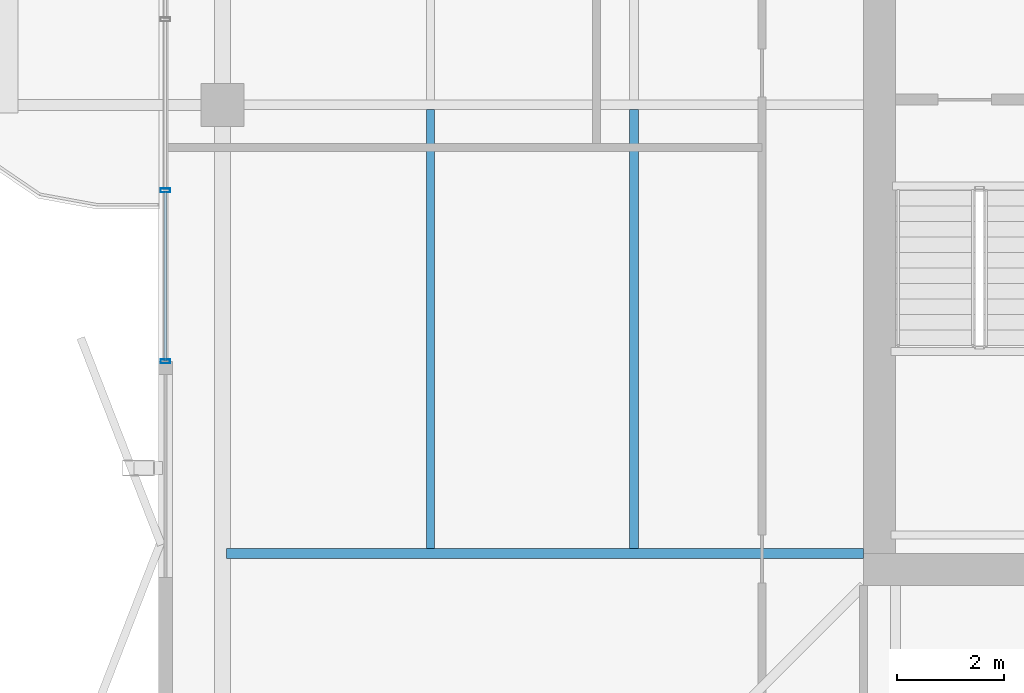
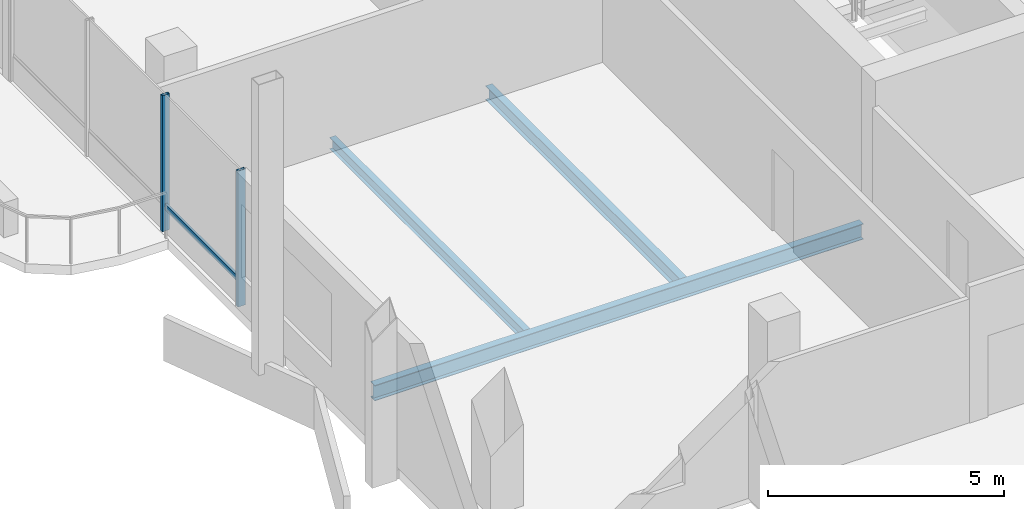
# One storey, part 6 of 22: 3 beams, 3 members, 1 element without a shape of its own.
"""IFC4 building model written with IfcOpenShell, lengths in metres."""

import ifcopenshell
import ifcopenshell.guid

model = None  # the IFC model being written
_history = None  # IfcOwnerHistory: only IFC2X3 demands one
_inside = {}  # id of a spatial element -> (the spatial element, [elements in it])
_under = {}  # id of a project, library or spatial element -> (it, [spatial elements below it])
_declared = {}  # id of a project -> (the project, [libraries it declares])
_typed = {}  # id of a type object -> (the type object, [elements of that type])
_made_of = {}  # id of a material, layer set ... -> (it, [elements and type objects made of it])


def new_model(schema):
    """Start an empty IFC model of exactly this schema.

    Asked for "IFC4X3", IfcOpenShell would pick the latest addendum, in which some entities
    have other attributes; the version numbers below select the first issue.
    IFC2X3 requires an IfcOwnerHistory on every rooted entity: one is made here for all.
    """
    global model, _history
    if schema == "IFC4X3":
        model = ifcopenshell.file(schema_version=(4, 3, 0, 0))
    else:
        model = ifcopenshell.file(schema=schema)
    _inside.clear()
    _under.clear()
    _declared.clear()
    _typed.clear()
    _made_of.clear()
    _history = None
    if model.schema == "IFC2X3":
        org = make("IfcOrganization", Name="unknown")
        user = make(
            "IfcPersonAndOrganization",
            ThePerson=make("IfcPerson", FamilyName="unknown"),
            TheOrganization=org,
        )
        app = make(
            "IfcApplication",
            ApplicationDeveloper=org,
            Version="unknown",
            ApplicationFullName="unknown",
            ApplicationIdentifier="unknown",
        )
        _history = make(
            "IfcOwnerHistory",
            OwningUser=user,
            OwningApplication=app,
            ChangeAction="ADDED",
            CreationDate=0,
        )
    return model


def make(cls, **values):
    """One entity of the class cls with the attributes given. An attribute that is None is left unset."""
    return model.create_entity(
        cls, **{name: value for name, value in values.items() if value is not None}
    )


def rooted(cls, **values):
    """An entity with a GlobalId (a new one), such as an element, a storey or a relation."""
    return make(cls, GlobalId=ifcopenshell.guid.new(), OwnerHistory=_history, **values)


def si_unit(unit_type, name, prefix=None):
    """IfcSIUnit, for example si_unit("LENGTHUNIT", "METRE", prefix="MILLI")."""
    return make("IfcSIUnit", UnitType=unit_type, Prefix=prefix, Name=name)


def assignment(units):
    """IfcUnitAssignment: the units of a project."""
    return None if units is None else make("IfcUnitAssignment", Units=units)


def point(xyz):
    """IfcCartesianPoint."""
    return None if xyz is None else make("IfcCartesianPoint", Coordinates=xyz)


def direction(xyz):
    """IfcDirection."""
    return None if xyz is None else make("IfcDirection", DirectionRatios=xyz)


def frame(location, z_axis=None, x_axis=None):
    """IfcAxis2Placement3D, a coordinate frame: its origin and axes. An axis left out is left unset."""
    return make(
        "IfcAxis2Placement3D",
        Location=point(location),
        Axis=direction(z_axis),
        RefDirection=direction(x_axis),
    )


def frame_2d(location, x_axis=None):
    """IfcAxis2Placement2D, a coordinate frame in the plane: its origin and x axis."""
    return make(
        "IfcAxis2Placement2D", Location=point(location), RefDirection=direction(x_axis)
    )


def origin():
    """The frame at (0, 0, 0) with its axes left unset."""
    return frame((0.0, 0.0, 0.0))


def origin_2d():
    """The frame at (0, 0) in the plane with its x axis left unset."""
    return frame_2d((0.0, 0.0))


def place(relative_to, where):
    """IfcLocalPlacement: puts the frame where relative to a parent placement (None: the world)."""
    return make(
        "IfcLocalPlacement", PlacementRelTo=relative_to, RelativePlacement=where
    )


def context(
    kind, dimensions, precision=None, world=None, true_north=None, identifier=None
):
    """IfcGeometricRepresentationContext, for example the 3D "Model" context."""
    return make(
        "IfcGeometricRepresentationContext",
        ContextIdentifier=identifier,
        ContextType=kind,
        CoordinateSpaceDimension=dimensions,
        Precision=precision,
        WorldCoordinateSystem=world,
        TrueNorth=true_north,
    )


def subcontext(parent, identifier, kind, view, scale=None):
    """IfcGeometricRepresentationSubContext, for example "Body" below "Model"."""
    return make(
        "IfcGeometricRepresentationSubContext",
        ContextIdentifier=identifier,
        ContextType=kind,
        ParentContext=parent,
        TargetScale=scale,
        TargetView=view,
    )


def project(units=None, contexts=None):
    """IfcProject with its units and contexts."""
    return rooted(
        "IfcProject",
        Name="project",
        RepresentationContexts=contexts,
        UnitsInContext=assignment(units),
    )


def spatial(cls, under=None, at=None, **own):
    """A site, building, storey or space (cls), placed at a placement, below another one or the project."""
    s = rooted(cls, ObjectPlacement=at, **own)
    if under is not None:
        _under.setdefault(under.id(), (under, []))[1].append(s)
    return s


def profile(cls, at=None, kind="AREA", **sizes):
    """A parametric profile (cls). Its sizes go by their IFC names, for example OverallWidth=200.0."""
    return make(cls, ProfileType=kind, Position=at, **sizes)


def hollow_rectangle(**sizes):
    """IfcRectangleHollowProfileDef."""
    return profile("IfcRectangleHollowProfileDef", **sizes)


def i_section(**sizes):
    """IfcIShapeProfileDef."""
    return profile("IfcIShapeProfileDef", **sizes)


def extrude(swept, where, along, depth):
    """IfcExtrudedAreaSolid: the profile swept, set in the frame where, extruded along a direction by depth."""
    return make(
        "IfcExtrudedAreaSolid",
        SweptArea=swept,
        Position=where,
        ExtrudedDirection=direction(along),
        Depth=depth,
    )


def shape(context_of_items, identifier, shape_type, items):
    """IfcShapeRepresentation: the items that make up one representation, for example the "Body"."""
    return make(
        "IfcShapeRepresentation",
        ContextOfItems=context_of_items,
        RepresentationIdentifier=identifier,
        RepresentationType=shape_type,
        Items=items,
    )


def material(Name=None, Category=None):
    """IfcMaterial."""
    return make("IfcMaterial", Name=Name, Category=Category)


def layer(
    of_material, thickness, ventilated=None, Name=None, Category=None, Priority=None
):
    """IfcMaterialLayer: one layer of a wall or slab, of a material (None: an air gap)."""
    return make(
        "IfcMaterialLayer",
        Material=of_material,
        LayerThickness=thickness,
        IsVentilated=ventilated,
        Name=Name,
        Category=Category,
        Priority=Priority,
    )


def layer_set(layers, Name=None):
    """IfcMaterialLayerSet."""
    return make("IfcMaterialLayerSet", MaterialLayers=layers, LayerSetName=Name)


def material_profile(
    of_material, cross_section, Name=None, Category=None, Priority=None
):
    """IfcMaterialProfile: a cross section and its material."""
    return make(
        "IfcMaterialProfile",
        Name=Name,
        Material=of_material,
        Profile=cross_section,
        Priority=Priority,
        Category=Category,
    )


def profile_set(profiles, Name=None, composite=None):
    """IfcMaterialProfileSet."""
    return make(
        "IfcMaterialProfileSet",
        Name=Name,
        MaterialProfiles=profiles,
        CompositeProfile=composite,
    )


def made_of(thing, what):
    """Note that an element or type object is made of a material, layer set ...; save() writes the relation."""
    if what is not None:
        _made_of.setdefault(what.id(), (what, []))[1].append(thing)
    return thing


def type_object(cls, material=None, **own):
    """A type object (cls), such as IfcWallType, which elements share."""
    return made_of(rooted(cls, **own), material)


def element(
    cls,
    number,
    at=None,
    inside=None,
    cuts=None,
    type_object=None,
    material=None,
    context=None,
    identifier="Body",
    shape_type=None,
    held_by="IfcProductDefinitionShape",
    body=None,
    shapes=None,
    **own,
):
    """One element of the class cls, such as IfcWall. Its Tag is "e" and its number.

    at: its placement. inside: the storey or other place that contains it. cuts: it is an
    opening in that element (IfcRelVoidsElement). A single representation is given by context,
    identifier, shape_type and body (its items); several are given by shapes. held_by: the class
    of the entity that holds the representations. save() writes the other relations.
    """
    e = rooted(cls, Tag="e%d" % number, ObjectPlacement=at, **own)
    if body is not None:
        shapes = [shape(context, identifier, shape_type, body)]
    if shapes is not None:
        e.Representation = make(held_by, Representations=shapes)
    if inside is not None:
        _inside.setdefault(inside.id(), (inside, []))[1].append(e)
    if cuts is not None:
        rooted(
            "IfcRelVoidsElement", RelatingBuildingElement=cuts, RelatedOpeningElement=e
        )
    if type_object is not None:
        _typed.setdefault(type_object.id(), (type_object, []))[1].append(e)
    return made_of(e, material)


def aggregate(whole, parts):
    """IfcRelAggregates: a whole, such as a stair, and the parts it consists of."""
    return rooted("IfcRelAggregates", RelatingObject=whole, RelatedObjects=parts)


def save(model, path):
    """Write the relations noted so far, then the file.

    IfcRelAggregates (storeys below a building ...), IfcRelContainedInSpatialStructure (elements
    in a storey), IfcRelDefinesByType, IfcRelAssociatesMaterial and IfcRelDeclares: one each for
    every whole, place, type object, material and project.
    """
    for whole, parts in _under.values():
        aggregate(whole, parts)
    for where, things in _inside.values():
        rooted(
            "IfcRelContainedInSpatialStructure",
            RelatedElements=things,
            RelatingStructure=where,
        )
    for kind, things in _typed.values():
        rooted("IfcRelDefinesByType", RelatedObjects=things, RelatingType=kind)
    for what, things in _made_of.values():
        rooted("IfcRelAssociatesMaterial", RelatedObjects=things, RelatingMaterial=what)
    for by, libraries in _declared.values():
        rooted("IfcRelDeclares", RelatingContext=by, RelatedDefinitions=libraries)
    model.write(path)


model = new_model("IFC4")

# Units and contexts
model_context = context("Model", 3, precision=1e-05, world=origin(), true_north=direction((0.0, 1.0)))
body_context = subcontext(model_context, "Body", "Model", "MODEL_VIEW")
ifc_project = project(units=[si_unit("LENGTHUNIT", "METRE"), si_unit("AREAUNIT", "SQUARE_METRE"), si_unit("VOLUMEUNIT", "CUBIC_METRE"), si_unit("PLANEANGLEUNIT", "RADIAN"), si_unit("MASSUNIT", "GRAM", prefix="KILO")], contexts=[model_context])

# Site, building, storey
site_placement = place(None, origin())
site = spatial("IfcSite", under=ifc_project, at=site_placement, CompositionType="ELEMENT")
building_placement = place(site_placement, origin())
building = spatial("IfcBuilding", under=site, at=building_placement, Name="Belovzor Exchange Tower", CompositionType="ELEMENT")
storey_placement = place(building_placement, frame((0.0, 0.0, 336.75)))
storey = spatial("IfcBuildingStorey", under=building, at=storey_placement, Name="L84", CompositionType="ELEMENT", Elevation=336.75)

# Beams
ifc_material_1 = material(Name="Steel S355", Category="steel")
ifc_material_profile_1 = material_profile(ifc_material_1, i_section(OverallWidth=0.169921875, OverallDepth=0.360107421875, WebThickness=0.008056640625, FlangeThickness=0.0126953125, at=origin_2d()))
ifc_profile_set_1 = profile_set([ifc_material_profile_1], Name="Steel S355")
beam_type_1 = type_object("IfcBeamType", Name="Secondary Infill Floor Joist IPE 360", PredefinedType="BEAM", material=ifc_profile_set_1)
beam_1_placement = place(storey_placement, frame((15.507080078125, 20.489990234375, -0.419921875), z_axis=(0.0, 1.0, 0.0), x_axis=(-1.0, 0.0, 0.0)))
element("IfcBeam", 1, at=beam_1_placement, inside=storey, type_object=beam_type_1, Name="FJ-360 Secondary Infill Floor Joist IPE 360", PredefinedType="BEAM", context=body_context, shape_type="SweptSolid", body=[
    extrude(i_section(OverallWidth=0.169921875, OverallDepth=0.360107421875, WebThickness=0.008056640625, FlangeThickness=0.0126953125, at=origin_2d()), origin(), (0.0, 0.0, 1.0), 8.219970703125),
])
ifc_material_2 = material(Name="Steel S355", Category="steel")
ifc_material_profile_2 = material_profile(ifc_material_2, i_section(OverallWidth=0.14990234375, OverallDepth=0.300048828125, WebThickness=0.007080078125, FlangeThickness=0.0107421875, at=origin_2d()))
ifc_profile_set_2 = profile_set([ifc_material_profile_2], Name="Steel S355")
beam_type_2 = type_object("IfcBeamType", Name="Secondary Trim Floor Joist IPE 300", PredefinedType="BEAM", material=ifc_profile_set_2)
beam_2_placement = place(storey_placement, frame((11.69091796875, 20.489990234375, -0.389892578125), z_axis=(0.0, 1.0, 0.0), x_axis=(-1.0, 0.0, 0.0)))
element("IfcBeam", 2, at=beam_2_placement, inside=storey, type_object=beam_type_2, Name="FJ-300 Secondary Trim Floor Joist IPE 300", PredefinedType="BEAM", context=body_context, shape_type="SweptSolid", body=[
    extrude(i_section(OverallWidth=0.14990234375, OverallDepth=0.300048828125, WebThickness=0.007080078125, FlangeThickness=0.0107421875, at=origin_2d()), origin(), (0.0, 0.0, 1.0), 8.219970703125),
])

# Curtain wall, members
ifc_material_3 = material(Name="Anodised Aluminium Framing", Category="aluminium")
ifc_layer = layer(ifc_material_3, 0.179931640625)
ifc_layer_set = layer_set([ifc_layer], Name="Anodised Aluminium Framing")
curtain_wall_type = type_object("IfcCurtainWallType", Name="Recessed Loggia Low-Iron Triple-Glazed Curtain Wall", PredefinedType="NOTDEFINED", material=ifc_layer_set)
curtain_wall_placement = place(storey_placement, origin())
curtain_wall = element("IfcCurtainWall", 3, at=curtain_wall_placement, inside=storey, type_object=curtain_wall_type, Name="CW3 Recessed Loggia Low-Iron Triple-Glazed Curtain Wall L84", PredefinedType="NOTDEFINED")
ifc_material_4 = material(Name="Steel S355", Category="steel")
ifc_material_profile_3 = material_profile(ifc_material_4, hollow_rectangle(XDim=0.074951171875, YDim=0.179931640625, WallThickness=0.0048828125, at=origin_2d()))
ifc_profile_set_3 = profile_set([ifc_material_profile_3], Name="Steel S355")
member_type_1 = type_object("IfcMemberType", Name="Thermally Broken Curtain Wall Mullion 180x75", PredefinedType="MULLION", material=ifc_profile_set_3)
member_1_placement = place(storey_placement, frame((6.72998046875, 24.0, 0.0), z_axis=(0.0, 0.0, 1.0), x_axis=(0.0, 1.0, 0.0)))
member_1 = element("IfcMember", 4, at=member_1_placement, type_object=member_type_1, Name="CW-M180 Curtain Wall Mullion 1", PredefinedType="MULLION", context=body_context, shape_type="SweptSolid", body=[
    extrude(hollow_rectangle(XDim=0.074951171875, YDim=0.179931640625, WallThickness=0.0048828125, at=origin_2d()), origin(), (0.0, 0.0, 1.0), 3.510009765625),
])
member_2_placement = place(storey_placement, frame((6.72998046875, 27.199951171875, 0.0), z_axis=(0.0, 0.0, 1.0), x_axis=(0.0, 1.0, 0.0)))
member_2 = element("IfcMember", 5, at=member_2_placement, type_object=member_type_1, Name="CW-M180 Curtain Wall Mullion 2", PredefinedType="MULLION", context=body_context, shape_type="SweptSolid", body=[
    extrude(hollow_rectangle(XDim=0.074951171875, YDim=0.179931640625, WallThickness=0.0048828125, at=origin_2d()), origin(), (0.0, 0.0, 1.0), 3.510009765625),
])
ifc_material_5 = material(Name="Steel S355", Category="steel")
ifc_material_profile_4 = material_profile(ifc_material_5, hollow_rectangle(XDim=0.06005859375, YDim=0.14990234375, WallThickness=0.00390625, at=origin_2d()))
ifc_profile_set_4 = profile_set([ifc_material_profile_4], Name="Steel S355")
member_type_2 = type_object("IfcMemberType", Name="Thermally Broken Curtain Wall Transom 150x60", PredefinedType="USERDEFINED", material=ifc_profile_set_4)
member_3_placement = place(storey_placement, frame((6.72998046875, 24.008056640625, 0.632080078125), z_axis=(0.0, 1.0, 0.0), x_axis=(-1.0, 0.0, 0.0)))
member_3 = element("IfcMember", 6, at=member_3_placement, type_object=member_type_2, Name="CW-T150 Curtain Wall Transom 1", ObjectType="TRANSOM", PredefinedType="USERDEFINED", context=body_context, shape_type="SweptSolid", body=[
    extrude(hollow_rectangle(XDim=0.06005859375, YDim=0.14990234375, WallThickness=0.00390625, at=origin_2d()), origin(), (0.0, 0.0, 1.0), 3.183837890625),
])
aggregate(curtain_wall, [member_1, member_2, member_3])

# Beam
ifc_material_6 = material(Name="Steel S355", Category="steel")
ifc_material_profile_5 = material_profile(ifc_material_6, i_section(OverallWidth=0.179931640625, OverallDepth=0.39990234375, WebThickness=0.008544921875, FlangeThickness=0.013427734375, at=origin_2d()))
ifc_profile_set_5 = profile_set([ifc_material_profile_5], Name="Steel S355")
beam_type_3 = type_object("IfcBeamType", Name="Zone 5-6 Radial Composite Floor Beam IPE 400", PredefinedType="BEAM", material=ifc_profile_set_5)
beam_3_placement = place(storey_placement, frame((19.800048828125, 20.39990234375, -0.43994140625), z_axis=(-1.0, 0.0, 0.0), x_axis=(0.0, -1.0, 0.0)))
element("IfcBeam", 7, at=beam_3_placement, inside=storey, type_object=beam_type_3, Name="FB-400 Zone 5-6 Radial Composite Floor Beam IPE 400", PredefinedType="BEAM", context=body_context, shape_type="SweptSolid", body=[
    extrude(i_section(OverallWidth=0.179931640625, OverallDepth=0.39990234375, WebThickness=0.008544921875, FlangeThickness=0.013427734375, at=origin_2d()), origin(), (0.0, 0.0, 1.0), 11.925048828125),
])

save(model, "model.ifc")
